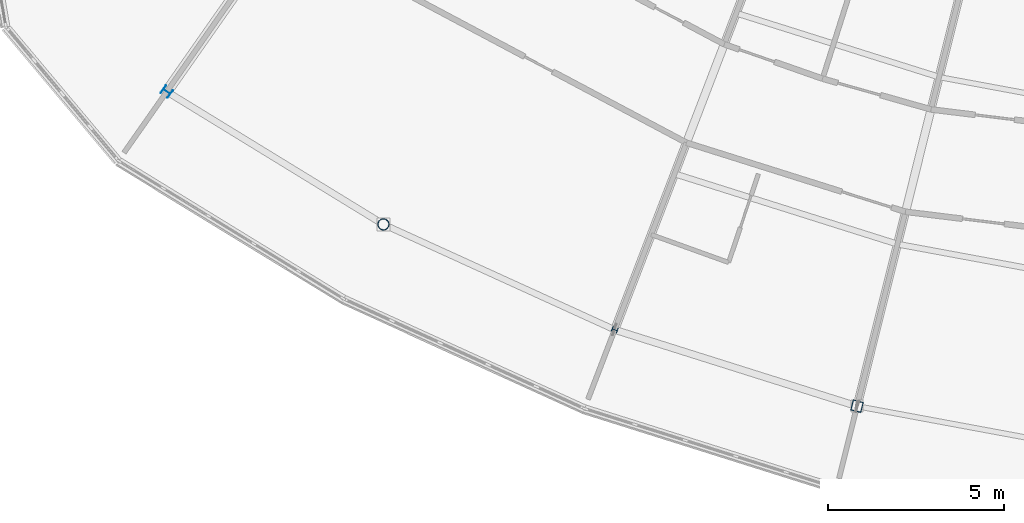
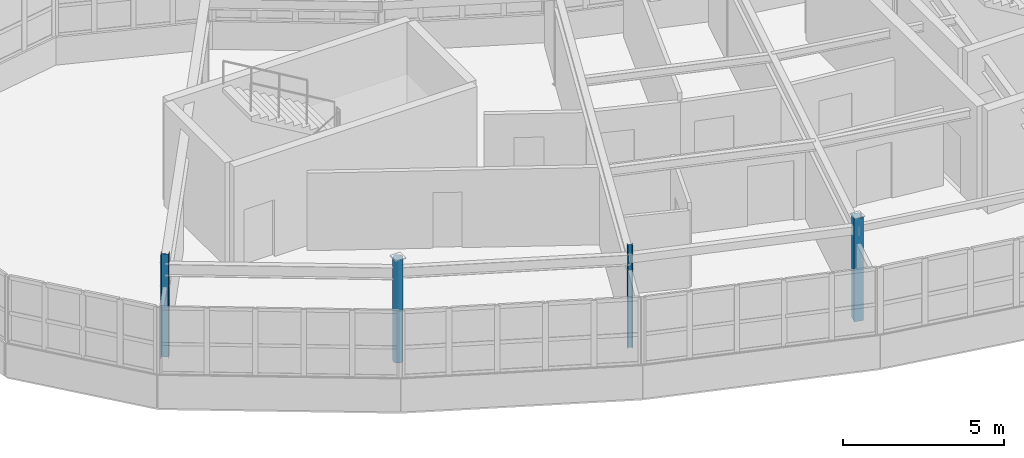
# One storey, part 1 of 65: 4 columns.
"""IFC4 building model written with IfcOpenShell, lengths in metres."""

from ifc_helpers import new_model, si_unit, direction, frame, origin, origin_2d, place, context, subcontext, project, spatial, hollow_rectangle, hollow_circle, i_section, extrude, material, material_profile, profile_set, type_object, element, save


model = new_model("IFC4")

# Units and contexts
model_context = context("Model", 3, precision=1e-05, world=origin(), true_north=direction((0.0, 1.0)))
body_context = subcontext(model_context, "Body", "Model", "MODEL_VIEW")
ifc_project = project(units=[si_unit("LENGTHUNIT", "METRE"), si_unit("AREAUNIT", "SQUARE_METRE"), si_unit("VOLUMEUNIT", "CUBIC_METRE"), si_unit("PLANEANGLEUNIT", "RADIAN"), si_unit("MASSUNIT", "GRAM", prefix="KILO")], contexts=[model_context])

# Site, building, storey
site_placement = place(None, origin())
site = spatial("IfcSite", under=ifc_project, at=site_placement, CompositionType="ELEMENT")
building_placement = place(site_placement, origin())
building = spatial("IfcBuilding", under=site, at=building_placement, Name="Tarnwether General Hospital", CompositionType="ELEMENT")
storey_placement = place(building_placement, frame((0.0, 0.0, 22.199951171875)))
storey = spatial("IfcBuildingStorey", under=building, at=storey_placement, Name="L05", CompositionType="ELEMENT", Elevation=22.199951171875)

# Columns
ifc_material_1 = material(Name="Steel Grade 350 (350 MPa)", Category="steel")
ifc_material_profile_1 = material_profile(ifc_material_1, i_section(OverallWidth=0.25390625, OverallDepth=0.25390625, WebThickness=0.008544921875, FlangeThickness=0.01416015625, at=origin_2d()), Name="250UC72.9")
ifc_profile_set_1 = profile_set([ifc_material_profile_1], Name="Steel Grade 350 (350 MPa)")
column_type_1 = type_object("IfcColumnType", Name="COL-24", PredefinedType="COLUMN", material=ifc_profile_set_1)
column_1_placement = place(storey_placement, frame((58.0439453125, 14.506103515625, 0.0), z_axis=(0.0, 0.0, 1.0), x_axis=(0.573576436351, 0.819152044289, 0.0)))
element("IfcColumn", 1, at=column_1_placement, inside=storey, type_object=column_type_1, Name="Column COLG-L05-5804_1451", PredefinedType="COLUMN", context=body_context, shape_type="SweptSolid", body=[
    extrude(i_section(OverallWidth=0.25390625, OverallDepth=0.25390625, WebThickness=0.008544921875, FlangeThickness=0.01416015625, at=origin_2d()), origin(), (0.0, 0.0, 1.0), 3.900146484375),
])
ifc_material_2 = material(Name="Steel Grade C350L0 (350 MPa)", Category="steel")
ifc_material_profile_2 = material_profile(ifc_material_2, hollow_circle(Radius=0.161865234375, WallThickness=0.0126953125, at=origin_2d()), Name="CHS323.9x12.7")
ifc_profile_set_2 = profile_set([ifc_material_profile_2], Name="Steel Grade C350L0 (350 MPa)")
column_type_2 = type_object("IfcColumnType", Name="COL-26", PredefinedType="COLUMN", material=ifc_profile_set_2)
column_2_placement = place(storey_placement, frame((64.20703125, 10.72998046875, 0.0), z_axis=(0.0, 0.0, 1.0), x_axis=(0.469471562786, 0.882947592859, 0.0)))
element("IfcColumn", 2, at=column_2_placement, inside=storey, type_object=column_type_2, Name="Column COLG-L05-6421_1073", PredefinedType="COLUMN", context=body_context, shape_type="SweptSolid", body=[
    extrude(hollow_circle(Radius=0.161865234375, WallThickness=0.0126953125, at=origin_2d()), origin(), (0.0, 0.0, 1.0), 3.900146484375),
])
ifc_material_3 = material(Name="Steel Grade 350 (350 MPa)", Category="steel")
ifc_material_profile_3 = material_profile(ifc_material_3, i_section(OverallWidth=0.154052734375, OverallDepth=0.162109375, WebThickness=0.008056640625, FlangeThickness=0.011474609375, at=origin_2d()), Name="150UC37.2")
ifc_profile_set_3 = profile_set([ifc_material_profile_3], Name="Steel Grade 350 (350 MPa)")
column_type_3 = type_object("IfcColumnType", Name="COL-28", PredefinedType="COLUMN", material=ifc_profile_set_3)
column_3_placement = place(storey_placement, frame((70.784912109375, 7.73193359375, 0.0), z_axis=(0.0, 0.0, 1.0), x_axis=(0.358367949545, 0.933580426497, 0.0)))
element("IfcColumn", 3, at=column_3_placement, inside=storey, type_object=column_type_3, Name="Column COLG-L05-7078_773", PredefinedType="COLUMN", context=body_context, shape_type="SweptSolid", body=[
    extrude(i_section(OverallWidth=0.154052734375, OverallDepth=0.162109375, WebThickness=0.008056640625, FlangeThickness=0.011474609375, at=origin_2d()), origin(), (0.0, 0.0, 1.0), 3.900146484375),
])
ifc_material_4 = material(Name="Steel Grade C350L0 (350 MPa)", Category="steel")
ifc_material_profile_4 = material_profile(ifc_material_4, hollow_rectangle(XDim=0.300048828125, YDim=0.300048828125, WallThickness=0.012451171875, at=origin_2d()), Name="SHS300x300x12.5")
ifc_profile_set_4 = profile_set([ifc_material_profile_4], Name="Steel Grade C350L0 (350 MPa)")
column_type_4 = type_object("IfcColumnType", Name="COL-30", PredefinedType="COLUMN", material=ifc_profile_set_4)
column_4_placement = place(storey_placement, frame((77.677978515625, 5.55810546875, 0.0), z_axis=(0.0, 0.0, 1.0), x_axis=(0.2419218956, 0.970295726276, 0.0)))
element("IfcColumn", 4, at=column_4_placement, inside=storey, type_object=column_type_4, Name="Column COLG-L05-7768_556", PredefinedType="COLUMN", context=body_context, shape_type="SweptSolid", body=[
    extrude(hollow_rectangle(XDim=0.300048828125, YDim=0.300048828125, WallThickness=0.012451171875, at=origin_2d()), origin(), (0.0, 0.0, 1.0), 3.900146484375),
])

save(model, "model.ifc")
